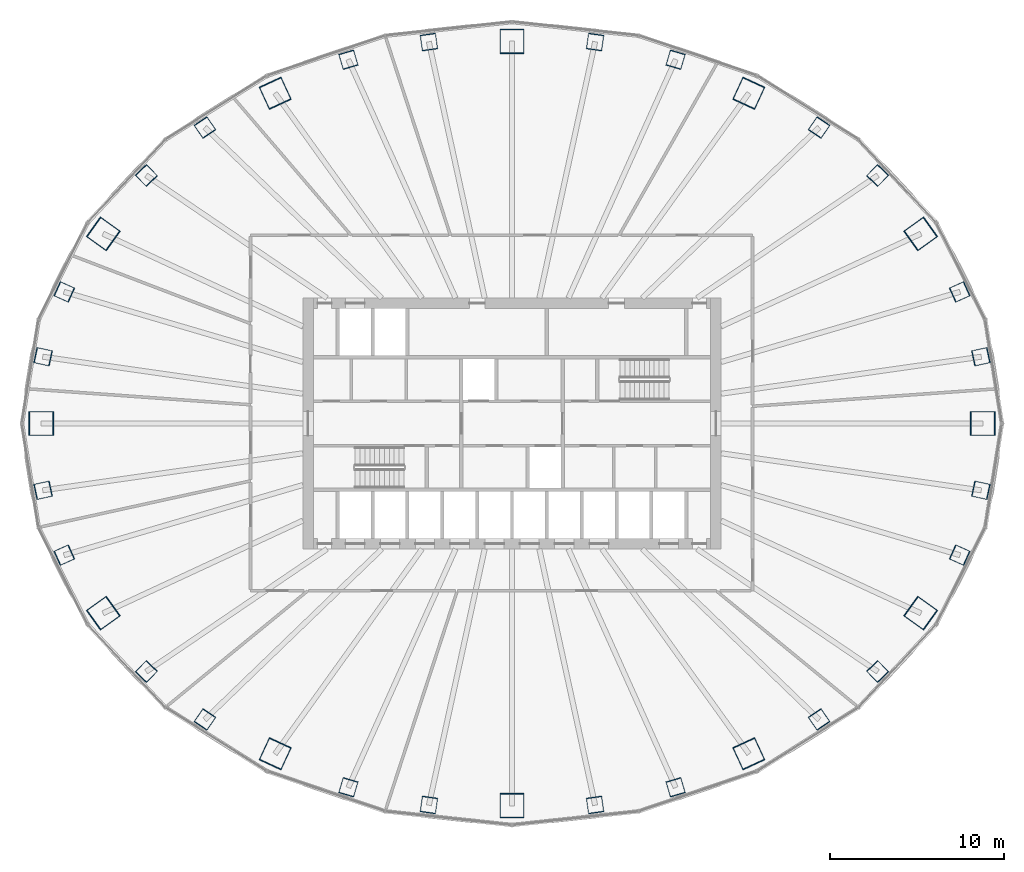
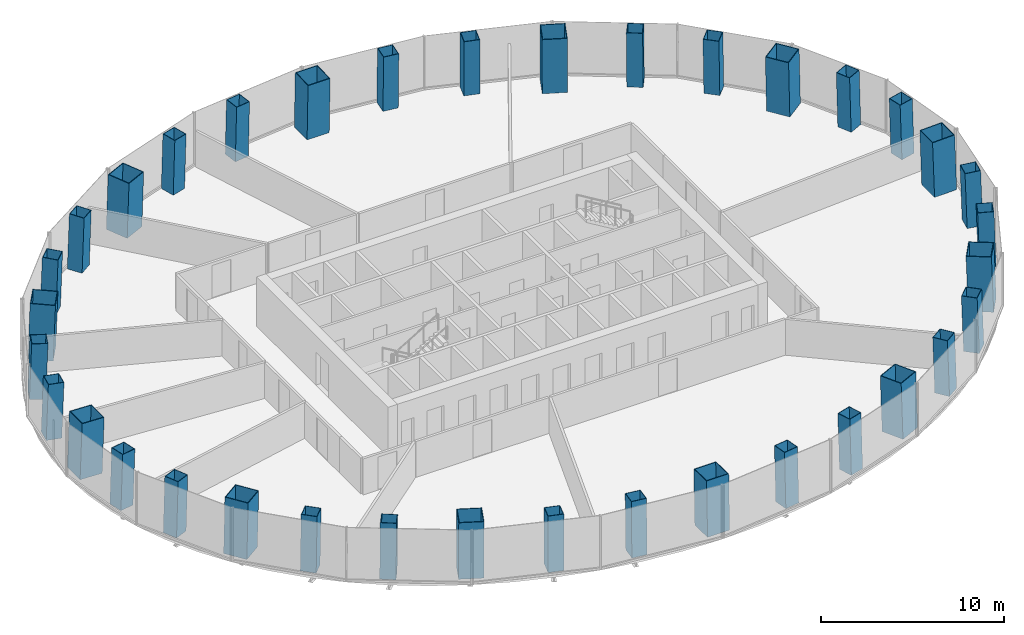
# One storey, part 1 of 11: 36 columns.
"""IFC4 building model written with IfcOpenShell, lengths in metres."""

from ifc_helpers import new_model, si_unit, direction, frame, origin, origin_2d, place, context, subcontext, project, spatial, hollow_rectangle, extrude, material, material_profile, profile_set, type_object, element, save


model = new_model("IFC4")

# Units and contexts
model_context = context("Model", 3, precision=1e-05, world=origin(), true_north=direction((0.0, 1.0)))
body_context = subcontext(model_context, "Body", "Model", "MODEL_VIEW")
ifc_project = project(units=[si_unit("LENGTHUNIT", "METRE"), si_unit("AREAUNIT", "SQUARE_METRE"), si_unit("VOLUMEUNIT", "CUBIC_METRE"), si_unit("PLANEANGLEUNIT", "RADIAN"), si_unit("MASSUNIT", "GRAM", prefix="KILO")], contexts=[model_context])

# Site, building, storey
site_placement = place(None, origin())
site = spatial("IfcSite", under=ifc_project, at=site_placement, CompositionType="ELEMENT")
building_placement = place(site_placement, origin())
building = spatial("IfcBuilding", under=site, at=building_placement, Name="Siaravel Broadcast Tower", CompositionType="ELEMENT")
storey_placement = place(building_placement, frame((0.0, 0.0, 40.800048828125)))
storey = spatial("IfcBuildingStorey", under=building, at=storey_placement, Name="L08", CompositionType="ELEMENT", Elevation=40.800048828125)

# Columns
ifc_material = material(Name="Concrete C70/85", Category="concrete")
ifc_material_profile_1 = material_profile(ifc_material, hollow_rectangle(XDim=1.39990234375, YDim=1.39990234375, WallThickness=0.0400390625, at=origin_2d()))
ifc_profile_set_1 = profile_set([ifc_material_profile_1], Name="Concrete C70/85")
column_type_1 = type_object("IfcColumnType", Name="COL-CFT BOX 1400x1400x40", PredefinedType="COLUMN", material=ifc_profile_set_1)
column_1_placement = place(storey_placement, frame((27.0302734375, 0.0, 0.0), z_axis=(-0.034621265, 0.0, 0.999400504), x_axis=(0.0, -1.0, 0.0)))
element("IfcColumn", 1, at=column_1_placement, inside=storey, type_object=column_type_1, Name="Megacolumn MC01", PredefinedType="COLUMN", context=body_context, shape_type="SweptSolid", body=[
    extrude(hollow_rectangle(XDim=1.39990234375, YDim=1.39990234375, WallThickness=0.0400390625, at=origin_2d()), origin(), (0.0, 0.0, 1.0), 3.7021484375),
])
column_2_placement = place(storey_placement, frame((23.46240234375, 10.88720703125, 0.0), z_axis=(-0.030006556, -0.014178922, 0.999449131), x_axis=(0.581707897, -0.81337618, 0.005925517)))
element("IfcColumn", 2, at=column_2_placement, inside=storey, type_object=column_type_1, Name="Megacolumn MC02", PredefinedType="COLUMN", context=body_context, shape_type="SweptSolid", body=[
    extrude(hollow_rectangle(XDim=1.39990234375, YDim=1.39990234375, WallThickness=0.0400390625, at=origin_2d()), origin(), (0.0, 0.0, 1.0), 3.701904296875),
])
column_3_placement = place(storey_placement, frame((13.5947265625, 18.960205078125, 0.0), z_axis=(-0.017280237, -0.024535299, 0.999549605), x_axis=(0.907539964, -0.419931245, 0.005381791)))
element("IfcColumn", 3, at=column_3_placement, inside=storey, type_object=column_type_1, Name="Megacolumn MC03", PredefinedType="COLUMN", context=body_context, shape_type="SweptSolid", body=[
    extrude(hollow_rectangle(XDim=1.39990234375, YDim=1.39990234375, WallThickness=0.0400390625, at=origin_2d()), origin(), (0.0, 0.0, 1.0), 3.70166015625),
])
column_4_placement = place(storey_placement, frame((0.0, 21.94189453125, 0.0), z_axis=(0.0, -0.02836206, 0.999597716), x_axis=(1.0, 0.0, 0.0)))
element("IfcColumn", 4, at=column_4_placement, inside=storey, type_object=column_type_1, Name="Megacolumn MC04", PredefinedType="COLUMN", context=body_context, shape_type="SweptSolid", body=[
    extrude(hollow_rectangle(XDim=1.39990234375, YDim=1.39990234375, WallThickness=0.0400390625, at=origin_2d()), origin(), (0.0, 0.0, 1.0), 3.701416015625),
])
column_5_placement = place(storey_placement, frame((-13.5947265625, 18.960205078125, 0.0), z_axis=(0.017280237, -0.024535299, 0.999549605), x_axis=(0.907539964, 0.419931245, -0.005381791)))
element("IfcColumn", 5, at=column_5_placement, inside=storey, type_object=column_type_1, Name="Megacolumn MC05", PredefinedType="COLUMN", context=body_context, shape_type="SweptSolid", body=[
    extrude(hollow_rectangle(XDim=1.39990234375, YDim=1.39990234375, WallThickness=0.0400390625, at=origin_2d()), origin(), (0.0, 0.0, 1.0), 3.70166015625),
])
column_6_placement = place(storey_placement, frame((-23.46240234375, 10.88720703125, 0.0), z_axis=(0.030006556, -0.014178922, 0.999449131), x_axis=(0.581707897, 0.81337618, -0.005925517)))
element("IfcColumn", 6, at=column_6_placement, inside=storey, type_object=column_type_1, Name="Megacolumn MC06", PredefinedType="COLUMN", context=body_context, shape_type="SweptSolid", body=[
    extrude(hollow_rectangle(XDim=1.39990234375, YDim=1.39990234375, WallThickness=0.0400390625, at=origin_2d()), origin(), (0.0, 0.0, 1.0), 3.701904296875),
])
column_7_placement = place(storey_placement, frame((-27.0302734375, 0.0, 0.0), z_axis=(0.034621265, 0.0, 0.999400504), x_axis=(0.0, 1.0, 0.0)))
element("IfcColumn", 7, at=column_7_placement, inside=storey, type_object=column_type_1, Name="Megacolumn MC07", PredefinedType="COLUMN", context=body_context, shape_type="SweptSolid", body=[
    extrude(hollow_rectangle(XDim=1.39990234375, YDim=1.39990234375, WallThickness=0.0400390625, at=origin_2d()), origin(), (0.0, 0.0, 1.0), 3.7021484375),
])
column_8_placement = place(storey_placement, frame((-23.46240234375, -10.88720703125, 0.0), z_axis=(0.030006556, 0.014178922, 0.999449131), x_axis=(-0.581707897, 0.81337618, 0.005925517)))
element("IfcColumn", 8, at=column_8_placement, inside=storey, type_object=column_type_1, Name="Megacolumn MC08", PredefinedType="COLUMN", context=body_context, shape_type="SweptSolid", body=[
    extrude(hollow_rectangle(XDim=1.39990234375, YDim=1.39990234375, WallThickness=0.0400390625, at=origin_2d()), origin(), (0.0, 0.0, 1.0), 3.701904296875),
])
column_9_placement = place(storey_placement, frame((-13.5947265625, -18.960205078125, 0.0), z_axis=(0.017280237, 0.024535299, 0.999549605), x_axis=(-0.907539964, 0.419931245, 0.005381791)))
element("IfcColumn", 9, at=column_9_placement, inside=storey, type_object=column_type_1, Name="Megacolumn MC09", PredefinedType="COLUMN", context=body_context, shape_type="SweptSolid", body=[
    extrude(hollow_rectangle(XDim=1.39990234375, YDim=1.39990234375, WallThickness=0.0400390625, at=origin_2d()), origin(), (0.0, 0.0, 1.0), 3.70166015625),
])
column_10_placement = place(storey_placement, frame((0.0, -21.94189453125, 0.0), z_axis=(0.0, 0.02836206, 0.999597716), x_axis=(-1.0, 0.0, 0.0)))
element("IfcColumn", 10, at=column_10_placement, inside=storey, type_object=column_type_1, Name="Megacolumn MC10", PredefinedType="COLUMN", context=body_context, shape_type="SweptSolid", body=[
    extrude(hollow_rectangle(XDim=1.39990234375, YDim=1.39990234375, WallThickness=0.0400390625, at=origin_2d()), origin(), (0.0, 0.0, 1.0), 3.701416015625),
])
column_11_placement = place(storey_placement, frame((13.5947265625, -18.960205078125, 0.0), z_axis=(-0.017280237, 0.024535299, 0.999549605), x_axis=(-0.907539964, -0.419931245, -0.005381791)))
element("IfcColumn", 11, at=column_11_placement, inside=storey, type_object=column_type_1, Name="Megacolumn MC11", PredefinedType="COLUMN", context=body_context, shape_type="SweptSolid", body=[
    extrude(hollow_rectangle(XDim=1.39990234375, YDim=1.39990234375, WallThickness=0.0400390625, at=origin_2d()), origin(), (0.0, 0.0, 1.0), 3.70166015625),
])
column_12_placement = place(storey_placement, frame((23.46240234375, -10.88720703125, 0.0), z_axis=(-0.030006556, 0.014178922, 0.999449131), x_axis=(-0.581707897, -0.81337618, -0.005925517)))
element("IfcColumn", 12, at=column_12_placement, inside=storey, type_object=column_type_1, Name="Megacolumn MC12", PredefinedType="COLUMN", context=body_context, shape_type="SweptSolid", body=[
    extrude(hollow_rectangle(XDim=1.39990234375, YDim=1.39990234375, WallThickness=0.0400390625, at=origin_2d()), origin(), (0.0, 0.0, 1.0), 3.701904296875),
])
ifc_material_profile_2 = material_profile(ifc_material, hollow_rectangle(XDim=0.89990234375, YDim=0.89990234375, WallThickness=0.02490234375, at=origin_2d()))
ifc_profile_set_2 = profile_set([ifc_material_profile_2], Name="Concrete C70/85")
column_type_2 = type_object("IfcColumnType", Name="COL-CFT BOX 900x900x25", PredefinedType="COLUMN", material=ifc_profile_set_2)
for number, where, z_axis, x_axis, name in (
    (13, (26.920654296875, 3.832763671875, 0.0), (-0.034028045, -0.004879991, 0.999408964), (0.211389133, -0.977398974, 0.002424894), "Perimeter column C01"),
    (14, (25.70263671875, 7.555908203125, 0.0), (-0.032511791, -0.009694185, 0.999424337), (0.409519719, -0.912290301, 0.004472883), "Perimeter column C02"),
):
    element("IfcColumn", number, at=place(storey_placement, frame(where, z_axis=z_axis, x_axis=x_axis)), inside=storey, type_object=column_type_2, Name=name, PredefinedType="COLUMN", context=body_context, shape_type="SweptSolid", body=[
        extrude(hollow_rectangle(XDim=0.89990234375, YDim=0.89990234375, WallThickness=0.02490234375, at=origin_2d()), origin(), (0.0, 0.0, 1.0), 3.7021484375),
    ])
column_13_placement = place(storey_placement, frame((20.989990234375, 14.238525390625, 0.0), z_axis=(-0.026446274, -0.018202423, 0.9994845), x_axis=(0.720209932, -0.693726461, 0.006422678)))
element("IfcColumn", 15, at=column_13_placement, inside=storey, type_object=column_type_2, Name="Perimeter column C03", PredefinedType="COLUMN", context=body_context, shape_type="SweptSolid", body=[
    extrude(hollow_rectangle(XDim=0.89990234375, YDim=0.89990234375, WallThickness=0.02490234375, at=origin_2d()), origin(), (0.0, 0.0, 1.0), 3.701904296875),
])
column_14_placement = place(storey_placement, frame((17.628662109375, 16.99169921875, 0.0), z_axis=(-0.022226156, -0.021698532, 0.999517469), x_axis=(0.827646553, -0.561215185, 0.006220857)))
element("IfcColumn", 16, at=column_14_placement, inside=storey, type_object=column_type_2, Name="Perimeter column C04", PredefinedType="COLUMN", context=body_context, shape_type="SweptSolid", body=[
    extrude(hollow_rectangle(XDim=0.89990234375, YDim=0.89990234375, WallThickness=0.02490234375, at=origin_2d()), origin(), (0.0, 0.0, 1.0), 3.70166015625),
])
for number, where, z_axis, x_axis, name in (
    (17, (9.392578125, 20.885498046875, 0.0), (-0.011872234, -0.026580613, 0.999576171), (0.959019936, -0.28331235, 0.003856728), "Perimeter column C05"),
    (18, (4.7705078125, 21.89990234375, 0.0), (-0.006002173, -0.027900212, 0.999592693), (0.990088766, -0.140428391, 0.002025527), "Perimeter column C06"),
    (19, (-4.7705078125, 21.89990234375, 0.0), (0.006002173, -0.027900212, 0.999592693), (0.990088766, 0.140428391, -0.002025527), "Perimeter column C07"),
    (20, (-9.392578125, 20.885498046875, 0.0), (0.011872234, -0.026580613, 0.999576171), (0.959019936, 0.28331235, -0.003856728), "Perimeter column C08"),
):
    element("IfcColumn", number, at=place(storey_placement, frame(where, z_axis=z_axis, x_axis=x_axis)), inside=storey, type_object=column_type_2, Name=name, PredefinedType="COLUMN", context=body_context, shape_type="SweptSolid", body=[
        extrude(hollow_rectangle(XDim=0.89990234375, YDim=0.89990234375, WallThickness=0.02490234375, at=origin_2d()), origin(), (0.0, 0.0, 1.0), 3.701416015625),
    ])
column_15_placement = place(storey_placement, frame((-17.628662109375, 16.99169921875, 0.0), z_axis=(0.022226156, -0.021698532, 0.999517469), x_axis=(0.827646553, 0.561215185, -0.006220857)))
element("IfcColumn", 21, at=column_15_placement, inside=storey, type_object=column_type_2, Name="Perimeter column C09", PredefinedType="COLUMN", context=body_context, shape_type="SweptSolid", body=[
    extrude(hollow_rectangle(XDim=0.89990234375, YDim=0.89990234375, WallThickness=0.02490234375, at=origin_2d()), origin(), (0.0, 0.0, 1.0), 3.70166015625),
])
column_16_placement = place(storey_placement, frame((-20.989990234375, 14.238525390625, 0.0), z_axis=(0.026446274, -0.018202423, 0.9994845), x_axis=(0.720209932, 0.693726461, -0.006422678)))
element("IfcColumn", 22, at=column_16_placement, inside=storey, type_object=column_type_2, Name="Perimeter column C10", PredefinedType="COLUMN", context=body_context, shape_type="SweptSolid", body=[
    extrude(hollow_rectangle(XDim=0.89990234375, YDim=0.89990234375, WallThickness=0.02490234375, at=origin_2d()), origin(), (0.0, 0.0, 1.0), 3.701904296875),
])
for number, where, z_axis, x_axis, name in (
    (23, (-25.70263671875, 7.555908203125, 0.0), (0.032511791, -0.009694185, 0.999424337), (0.409519719, 0.912290301, -0.004472883), "Perimeter column C11"),
    (24, (-26.920654296875, 3.832763671875, 0.0), (0.034028045, -0.004879991, 0.999408964), (0.211389133, 0.977398974, -0.002424894), "Perimeter column C12"),
    (25, (-26.920654296875, -3.832763671875, 0.0), (0.034028045, 0.004879991, 0.999408964), (-0.211389133, 0.977398974, 0.002424894), "Perimeter column C13"),
    (26, (-25.70263671875, -7.555908203125, 0.0), (0.032511791, 0.009694185, 0.999424337), (-0.409519719, 0.912290301, 0.004472883), "Perimeter column C14"),
):
    element("IfcColumn", number, at=place(storey_placement, frame(where, z_axis=z_axis, x_axis=x_axis)), inside=storey, type_object=column_type_2, Name=name, PredefinedType="COLUMN", context=body_context, shape_type="SweptSolid", body=[
        extrude(hollow_rectangle(XDim=0.89990234375, YDim=0.89990234375, WallThickness=0.02490234375, at=origin_2d()), origin(), (0.0, 0.0, 1.0), 3.7021484375),
    ])
column_17_placement = place(storey_placement, frame((-20.989990234375, -14.238525390625, 0.0), z_axis=(0.026446274, 0.018202423, 0.9994845), x_axis=(-0.720209932, 0.693726461, 0.006422678)))
element("IfcColumn", 27, at=column_17_placement, inside=storey, type_object=column_type_2, Name="Perimeter column C15", PredefinedType="COLUMN", context=body_context, shape_type="SweptSolid", body=[
    extrude(hollow_rectangle(XDim=0.89990234375, YDim=0.89990234375, WallThickness=0.02490234375, at=origin_2d()), origin(), (0.0, 0.0, 1.0), 3.701904296875),
])
column_18_placement = place(storey_placement, frame((-17.628662109375, -16.99169921875, 0.0), z_axis=(0.022226156, 0.021698532, 0.999517469), x_axis=(-0.827646553, 0.561215185, 0.006220857)))
element("IfcColumn", 28, at=column_18_placement, inside=storey, type_object=column_type_2, Name="Perimeter column C16", PredefinedType="COLUMN", context=body_context, shape_type="SweptSolid", body=[
    extrude(hollow_rectangle(XDim=0.89990234375, YDim=0.89990234375, WallThickness=0.02490234375, at=origin_2d()), origin(), (0.0, 0.0, 1.0), 3.70166015625),
])
for number, where, z_axis, x_axis, name in (
    (29, (-9.392578125, -20.885498046875, 0.0), (0.011872234, 0.026580613, 0.999576171), (-0.959019936, 0.28331235, 0.003856728), "Perimeter column C17"),
    (30, (-4.7705078125, -21.89990234375, 0.0), (0.006002173, 0.027900212, 0.999592693), (-0.990088766, 0.140428391, 0.002025527), "Perimeter column C18"),
    (31, (4.7705078125, -21.89990234375, 0.0), (-0.006002173, 0.027900212, 0.999592693), (-0.990088766, -0.140428391, -0.002025527), "Perimeter column C19"),
    (32, (9.392578125, -20.885498046875, 0.0), (-0.011872234, 0.026580613, 0.999576171), (-0.959019936, -0.28331235, -0.003856728), "Perimeter column C20"),
):
    element("IfcColumn", number, at=place(storey_placement, frame(where, z_axis=z_axis, x_axis=x_axis)), inside=storey, type_object=column_type_2, Name=name, PredefinedType="COLUMN", context=body_context, shape_type="SweptSolid", body=[
        extrude(hollow_rectangle(XDim=0.89990234375, YDim=0.89990234375, WallThickness=0.02490234375, at=origin_2d()), origin(), (0.0, 0.0, 1.0), 3.701416015625),
    ])
column_19_placement = place(storey_placement, frame((17.628662109375, -16.99169921875, 0.0), z_axis=(-0.022226156, 0.021698532, 0.999517469), x_axis=(-0.827646553, -0.561215185, -0.006220857)))
element("IfcColumn", 33, at=column_19_placement, inside=storey, type_object=column_type_2, Name="Perimeter column C21", PredefinedType="COLUMN", context=body_context, shape_type="SweptSolid", body=[
    extrude(hollow_rectangle(XDim=0.89990234375, YDim=0.89990234375, WallThickness=0.02490234375, at=origin_2d()), origin(), (0.0, 0.0, 1.0), 3.70166015625),
])
column_20_placement = place(storey_placement, frame((20.989990234375, -14.238525390625, 0.0), z_axis=(-0.026446274, 0.018202423, 0.9994845), x_axis=(-0.720209932, -0.693726461, -0.006422678)))
element("IfcColumn", 34, at=column_20_placement, inside=storey, type_object=column_type_2, Name="Perimeter column C22", PredefinedType="COLUMN", context=body_context, shape_type="SweptSolid", body=[
    extrude(hollow_rectangle(XDim=0.89990234375, YDim=0.89990234375, WallThickness=0.02490234375, at=origin_2d()), origin(), (0.0, 0.0, 1.0), 3.701904296875),
])
for number, where, z_axis, x_axis, name in (
    (35, (25.70263671875, -7.555908203125, 0.0), (-0.032511791, 0.009694185, 0.999424337), (-0.409519719, -0.912290301, -0.004472883), "Perimeter column C23"),
    (36, (26.920654296875, -3.832763671875, 0.0), (-0.034028045, 0.004879991, 0.999408964), (-0.211389133, -0.977398974, -0.002424894), "Perimeter column C24"),
):
    element("IfcColumn", number, at=place(storey_placement, frame(where, z_axis=z_axis, x_axis=x_axis)), inside=storey, type_object=column_type_2, Name=name, PredefinedType="COLUMN", context=body_context, shape_type="SweptSolid", body=[
        extrude(hollow_rectangle(XDim=0.89990234375, YDim=0.89990234375, WallThickness=0.02490234375, at=origin_2d()), origin(), (0.0, 0.0, 1.0), 3.7021484375),
    ])

save(model, "model.ifc")
